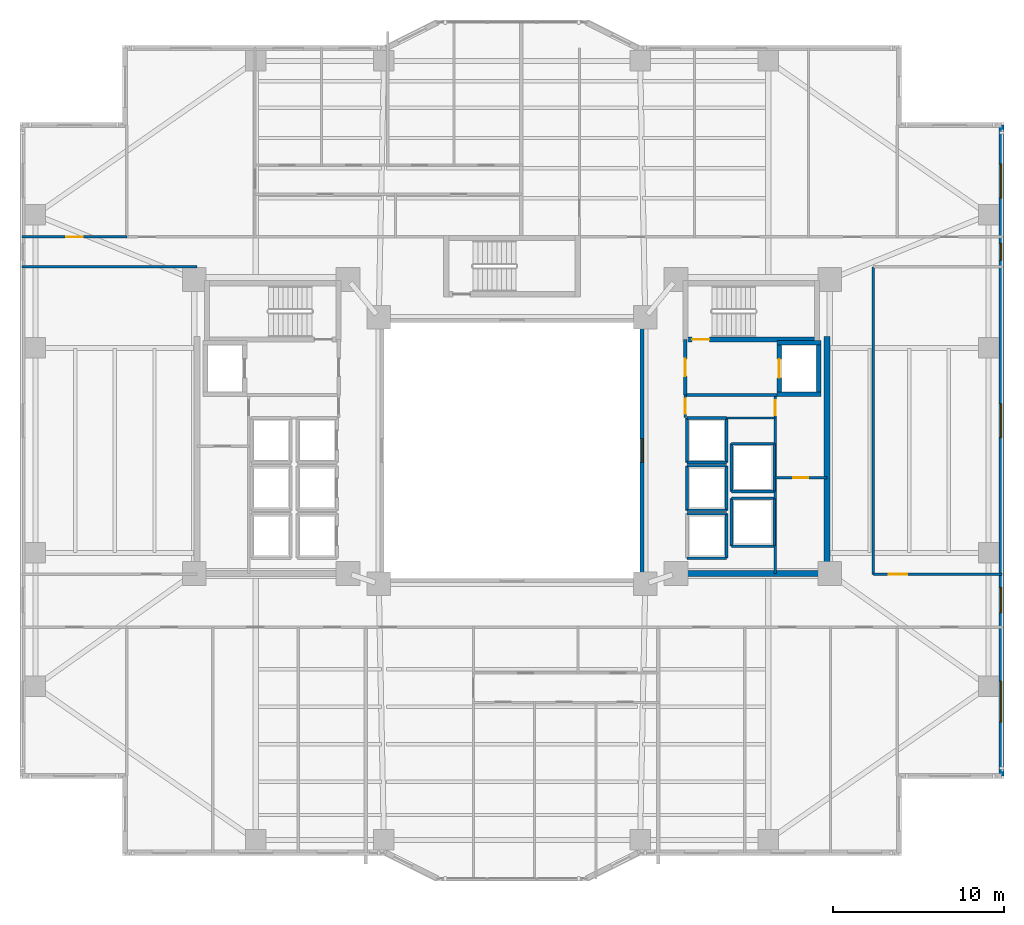
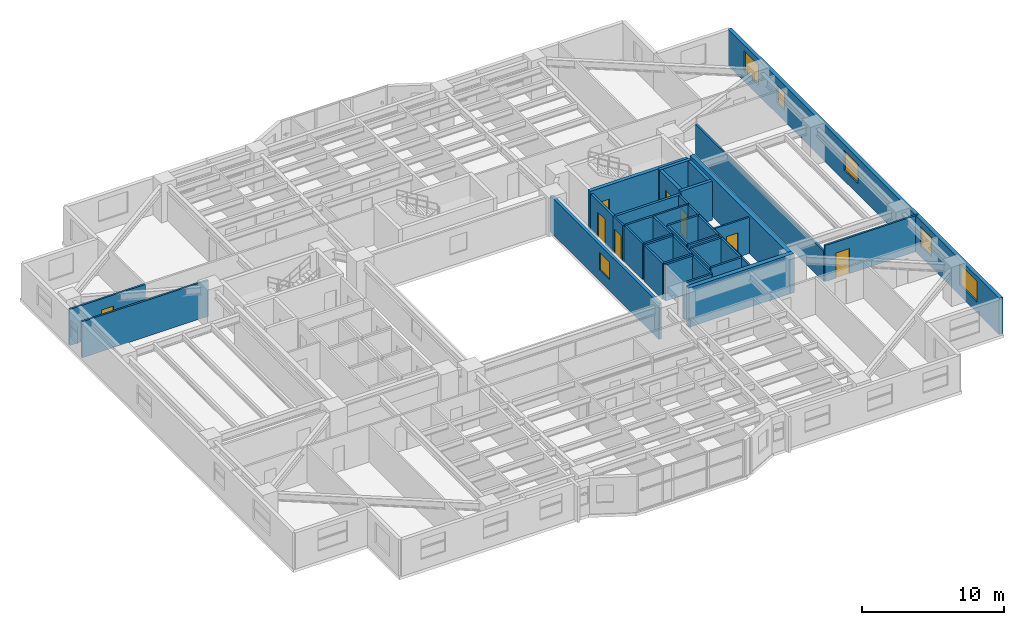
# One storey, part 12 of 19: 38 walls, 8 doors, 6 windows, 14 openings.
"""IFC4 building model written with IfcOpenShell, lengths in metres."""

from ifc_helpers import new_model, si_unit, direction, frame, frame_2d, origin, place, context, subcontext, project, spatial, rectangle, extrude, material, layer, layer_set, type_object, element, fill, save


model = new_model("IFC4")

# Units and contexts
model_context = context("Model", 3, precision=1e-05, world=origin(), true_north=direction((0.0, 1.0)))
body_context = subcontext(model_context, "Body", "Model", "MODEL_VIEW")
ifc_project = project(units=[si_unit("LENGTHUNIT", "METRE"), si_unit("AREAUNIT", "SQUARE_METRE"), si_unit("VOLUMEUNIT", "CUBIC_METRE"), si_unit("PLANEANGLEUNIT", "RADIAN"), si_unit("MASSUNIT", "GRAM", prefix="KILO")], contexts=[model_context])

# Site, building, storey
site_placement = place(None, origin())
site = spatial("IfcSite", under=ifc_project, at=site_placement, CompositionType="ELEMENT")
building_placement = place(site_placement, origin())
building = spatial("IfcBuilding", under=site, at=building_placement, Name="Tarnavaz Court Tower", CompositionType="ELEMENT")
storey_placement = place(building_placement, frame((0.0, 0.0, 50.800048828125)))
storey = spatial("IfcBuildingStorey", under=building, at=storey_placement, Name="L13", CompositionType="ELEMENT", Elevation=50.800048828125)

# Wall, opening, door
ifc_material_1 = material(Name="Concrete C60/75", Category="concrete")
ifc_layer_1 = layer(ifc_material_1, 0.25)
ifc_layer_set_1 = layer_set([ifc_layer_1], Name="Concrete C60/75")
wall_type_1 = type_object("IfcWallType", Name="WL-CORE-250-C60", PredefinedType="SHEAR", material=ifc_layer_set_1)
wall_1_placement = place(storey_placement, frame((15.64990234375, 3.175048828125, 0.0), z_axis=(0.0, 0.0, 1.0), x_axis=(0.0, 1.0, 0.0)))
wall_1 = element("IfcWall", 1, at=wall_1_placement, inside=storey, type_object=wall_type_1, Name="L13 Lift FL-E1 Shaft Wall 045", PredefinedType="SHEAR", context=body_context, shape_type="SweptSolid", body=[
    extrude(rectangle(XDim=3.25, YDim=0.25, at=frame_2d((1.625, 0.0))), origin(), (0.0, 0.0, 1.0), 3.349853515625),
])
opening_1_placement = place(wall_1_placement, frame((1.074951171875, 0.0, 0.0)))
opening_1 = element("IfcOpeningElement", 2, at=opening_1_placement, cuts=wall_1, Name="Opening LD1", PredefinedType="OPENING", context=body_context, shape_type="SweptSolid", body=[
    extrude(rectangle(XDim=1.10009765625, YDim=2.14990234375, at=frame_2d((0.550048828125, 1.074951171875))), frame((0.0, 0.135009765625, 0.0), z_axis=(0.0, -1.0, 0.0), x_axis=(1.0, 0.0, 0.0)), (0.0, 0.0, 1.0), 0.27001953125),
])
ifc_material_2 = material(Name="Stainless Steel", Category="steel")
door_type_1 = type_object("IfcDoorType", Name="DR-LD-1100", OperationType="NOTDEFINED", PredefinedType="DOOR", material=ifc_material_2)
door_1_placement = place(opening_1_placement, origin())
door_1 = element("IfcDoor", 3, at=door_1_placement, inside=storey, type_object=door_type_1, Name="L13 Lift Landing Door LD-FL-E1", OperationType="SLIDING_TO_LEFT", OverallHeight=2.14990234375, OverallWidth=1.10009765625, PredefinedType="DOOR", context=body_context, shape_type="SweptSolid", body=[
    extrude(rectangle(XDim=1.10009765625, YDim=2.14990234375, at=frame_2d((0.550048828125, 1.074951171875))), frame((0.0, 0.02490234375, 0.0), z_axis=(0.0, -1.0, 0.0), x_axis=(1.0, 0.0, 0.0)), (0.0, 0.0, 1.0), 0.050048828125),
])
fill(opening_1, door_1)

# Walls
wall_2_placement = place(storey_placement, frame((17.949951171875, 3.175048828125, 0.0), z_axis=(0.0, 0.0, 1.0), x_axis=(0.0, 1.0, 0.0)))
element("IfcWall", 4, at=wall_2_placement, inside=storey, type_object=wall_type_1, Name="L13 Lift FL-E1 Shaft Wall 046", PredefinedType="SHEAR", context=body_context, shape_type="SweptSolid", body=[
    extrude(rectangle(XDim=3.25, YDim=0.25, at=frame_2d((1.625, 0.0))), origin(), (0.0, 0.0, 1.0), 3.349853515625),
])
for number, where, z_axis, x_axis, name in (
    (5, (15.52490234375, 3.300048828125, 0.0), (0.0, 0.0, 1.0), (1.0, 0.0, 0.0), "L13 Lift FL-E1 Shaft Wall 047"),
    (6, (15.52490234375, 6.300048828125, 0.0), (0.0, 0.0, 1.0), (1.0, 0.0, 0.0), "L13 Lift FL-E1 Shaft Wall 048"),
):
    element("IfcWall", number, at=place(storey_placement, frame(where, z_axis=z_axis, x_axis=x_axis)), inside=storey, type_object=wall_type_1, Name=name, PredefinedType="SHEAR", context=body_context, shape_type="SweptSolid", body=[
        extrude(rectangle(XDim=2.550048828125, YDim=0.25, at=frame_2d((1.27490234375, 0.0))), origin(), (0.0, 0.0, 1.0), 3.349853515625),
    ])

# Wall, opening, door
ifc_layer_2 = layer(ifc_material_1, 0.300048828125)
ifc_layer_set_2 = layer_set([ifc_layer_2], Name="Concrete C60/75")
wall_type_2 = type_object("IfcWallType", Name="WL-CORE-300-C60", PredefinedType="SHEAR", material=ifc_layer_set_2)
wall_3_placement = place(storey_placement, frame((10.0, 6.5, 0.0), z_axis=(0.0, 0.0, 1.0), x_axis=(1.0, 0.0, 0.0)))
wall_3 = element("IfcWall", 7, at=wall_3_placement, inside=storey, type_object=wall_type_2, Name="L13 East Stair Core Wall 006", PredefinedType="SHEAR", context=body_context, shape_type="SweptSolid", body=[
    extrude(rectangle(XDim=8.0, YDim=0.300048828125, at=frame_2d((4.0, 0.0))), origin(), (0.0, 0.0, 1.0), 3.349853515625),
])
opening_2_placement = place(wall_3_placement, frame((0.550048828125, 0.0, 0.0)))
opening_2 = element("IfcOpeningElement", 8, at=opening_2_placement, cuts=wall_3, Name="Opening D01", PredefinedType="OPENING", context=body_context, shape_type="SweptSolid", body=[
    extrude(rectangle(XDim=1.0, YDim=2.14990234375, at=frame_2d((0.5, 1.074951171875))), frame((0.0, 0.159912109375, 0.0), z_axis=(0.0, -1.0, 0.0), x_axis=(1.0, 0.0, 0.0)), (0.0, 0.0, 1.0), 0.320068359375),
])
ifc_material_3 = material(Name="Fire-Rated Hardwood Timber Core", Category="wood")
door_type_2 = type_object("IfcDoorType", Name="DR-FD90-1000", OperationType="NOTDEFINED", PredefinedType="DOOR", material=ifc_material_3)
door_2_placement = place(opening_2_placement, origin())
door_2 = element("IfcDoor", 9, at=door_2_placement, inside=storey, type_object=door_type_2, Name="L13 Stair ST-E1 Exit Door", OperationType="SINGLE_SWING_RIGHT", OverallHeight=2.14990234375, OverallWidth=1.0, PredefinedType="DOOR", context=body_context, shape_type="SweptSolid", body=[
    extrude(rectangle(XDim=1.0, YDim=2.14990234375, at=frame_2d((0.5, 1.074951171875))), frame((0.0, 0.02490234375, 0.0), z_axis=(0.0, -1.0, 0.0), x_axis=(1.0, 0.0, 0.0)), (0.0, 0.0, 1.0), 0.050048828125),
])
fill(opening_2, door_2)

# Walls
ifc_layer_3 = layer(ifc_material_1, 0.35009765625)
ifc_layer_set_3 = layer_set([ifc_layer_3], Name="Concrete C60/75")
wall_type_3 = type_object("IfcWallType", Name="WL-CORE-350-C60", PredefinedType="SHEAR", material=ifc_layer_set_3)
wall_4_placement = place(storey_placement, frame((18.449951171875, -7.375, 0.0), z_axis=(0.0, 0.0, 1.0), x_axis=(0.0, 1.0, 0.0)))
element("IfcWall", 10, at=wall_4_placement, inside=storey, type_object=wall_type_3, Name="L13 East Core Shear Wall 071", PredefinedType="SHEAR", context=body_context, shape_type="SweptSolid", body=[
    extrude(rectangle(XDim=14.050048828125, YDim=0.35009765625, at=frame_2d((7.02490234375, 0.0))), origin(), (0.0, 0.0, 1.0), 3.349853515625),
])
wall_5_placement = place(storey_placement, frame((10.074951171875, -7.199951171875, 0.0), z_axis=(0.0, 0.0, 1.0), x_axis=(1.0, 0.0, 0.0)))
element("IfcWall", 11, at=wall_5_placement, inside=storey, type_object=wall_type_3, Name="L13 East Core South Shear Wall 072", PredefinedType="SHEAR", context=body_context, shape_type="SweptSolid", body=[
    extrude(rectangle(XDim=8.550048828125, YDim=0.35009765625, at=frame_2d((4.27490234375, 0.0))), origin(), (0.0, 0.0, 1.0), 3.349853515625),
])

# Wall, openings, windows
ifc_material_4 = material(Name="Precast Concrete C40/50", Category="concrete")
ifc_layer_4 = layer(ifc_material_4, 0.300048828125)
ifc_layer_set_4 = layer_set([ifc_layer_4], Name="Precast Concrete C40/50")
wall_type_4 = type_object("IfcWallType", Name="WL-EXT-300", PredefinedType="SOLIDWALL", material=ifc_layer_set_4)
wall_6_placement = place(storey_placement, frame((28.64990234375, 19.050048828125, 0.0), z_axis=(0.0, 0.0, 1.0), x_axis=(0.0, -1.0, 0.0)))
wall_6 = element("IfcWall", 12, at=wall_6_placement, inside=storey, type_object=wall_type_4, Name="L13 Exterior Terracotta Facade Wall 12", PredefinedType="SOLIDWALL", context=body_context, shape_type="SweptSolid", body=[
    extrude(rectangle(XDim=38.10009765625, YDim=0.300048828125, at=frame_2d((19.050048828125, 0.0))), origin(), (0.0, 0.0, 1.0), 3.099853515625),
])
opening_3_placement = place(wall_6_placement, frame((2.27490234375, 0.0, 0.89990234375)))
opening_3 = element("IfcOpeningElement", 13, at=opening_3_placement, cuts=wall_6, Name="Opening W08", PredefinedType="OPENING", context=body_context, shape_type="SweptSolid", body=[
    extrude(rectangle(XDim=2.0, YDim=1.699951171875, at=frame_2d((1.0, 0.85009765625))), frame((0.0, 0.159912109375, 0.0), z_axis=(0.0, -1.0, 0.0), x_axis=(1.0, 0.0, 0.0)), (0.0, 0.0, 1.0), 0.320068359375),
])
opening_4_placement = place(wall_6_placement, frame((6.925048828125, 0.0, 0.949951171875)))
opening_4 = element("IfcOpeningElement", 14, at=opening_4_placement, cuts=wall_6, Name="Opening W14", PredefinedType="OPENING", context=body_context, shape_type="SweptSolid", body=[
    extrude(rectangle(XDim=1.0, YDim=1.5, at=frame_2d((0.5, 0.75))), frame((0.0, 0.159912109375, 0.0), z_axis=(0.0, -1.0, 0.0), x_axis=(1.0, 0.0, 0.0)), (0.0, 0.0, 1.0), 0.320068359375),
])
opening_5_placement = place(wall_6_placement, frame((16.300048828125, 0.0, 0.89990234375)))
opening_5 = element("IfcOpeningElement", 15, at=opening_5_placement, cuts=wall_6, Name="Opening W08", PredefinedType="OPENING", context=body_context, shape_type="SweptSolid", body=[
    extrude(rectangle(XDim=2.0, YDim=1.699951171875, at=frame_2d((1.0, 0.85009765625))), frame((0.0, 0.159912109375, 0.0), z_axis=(0.0, -1.0, 0.0), x_axis=(1.0, 0.0, 0.0)), (0.0, 0.0, 1.0), 0.320068359375),
])
opening_6_placement = place(wall_6_placement, frame((27.0576171875, 0.0, 0.89990234375)))
opening_6 = element("IfcOpeningElement", 16, at=opening_6_placement, cuts=wall_6, Name="Opening W03", PredefinedType="OPENING", context=body_context, shape_type="SweptSolid", body=[
    extrude(rectangle(XDim=1.5, YDim=1.64990234375, at=frame_2d((0.75, 0.824951171875))), frame((0.0, 0.159912109375, 0.0), z_axis=(0.0, -1.0, 0.0), x_axis=(1.0, 0.0, 0.0)), (0.0, 0.0, 1.0), 0.320068359375),
])
opening_7_placement = place(wall_6_placement, frame((32.550048828125, 0.0, 0.89990234375)))
opening_7 = element("IfcOpeningElement", 17, at=opening_7_placement, cuts=wall_6, Name="Opening W06", PredefinedType="OPENING", context=body_context, shape_type="SweptSolid", body=[
    extrude(rectangle(XDim=2.39990234375, YDim=1.800048828125, at=frame_2d((1.199951171875, 0.89990234375))), frame((0.0, 0.159912109375, 0.0), z_axis=(0.0, -1.0, 0.0), x_axis=(1.0, 0.0, 0.0)), (0.0, 0.0, 1.0), 0.320068359375),
])
ifc_material_5 = material(Name="Double-Glazed Solar Low-E Glass", Category="glass")
window_type_1 = type_object("IfcWindowType", Name="WN-APT-1000", PartitioningType="SINGLE_PANEL", PredefinedType="WINDOW", material=ifc_material_5)
window_1_placement = place(opening_4_placement, origin())
window_1 = element("IfcWindow", 18, at=window_1_placement, inside=storey, type_object=window_type_1, Name="L13 North-East Corner Corridor Window", OverallHeight=1.5, OverallWidth=1.0, PartitioningType="SINGLE_PANEL", PredefinedType="WINDOW", context=body_context, shape_type="SweptSolid", body=[
    extrude(rectangle(XDim=1.0, YDim=1.5, at=frame_2d((0.5, 0.75))), frame((0.0, 0.030029296875, 0.0), z_axis=(0.0, -1.0, 0.0), x_axis=(1.0, 0.0, 0.0)), (0.0, 0.0, 1.0), 0.06005859375),
])
fill(opening_4, window_1)
window_type_2 = type_object("IfcWindowType", Name="WN-APT-1500", PartitioningType="DOUBLE_PANEL_VERTICAL", PredefinedType="WINDOW", material=ifc_material_5)
window_2_placement = place(opening_6_placement, origin())
window_2 = element("IfcWindow", 19, at=window_2_placement, inside=storey, type_object=window_type_2, Name="L13 South-East Corner Corridor Window", OverallHeight=1.64990234375, OverallWidth=1.5, PartitioningType="SINGLE_PANEL", PredefinedType="WINDOW", context=body_context, shape_type="SweptSolid", body=[
    extrude(rectangle(XDim=1.5, YDim=1.64990234375, at=frame_2d((0.75, 0.824951171875))), frame((0.0, 0.030029296875, 0.0), z_axis=(0.0, -1.0, 0.0), x_axis=(1.0, 0.0, 0.0)), (0.0, 0.0, 1.0), 0.06005859375),
])
fill(opening_6, window_2)
window_type_3 = type_object("IfcWindowType", Name="WN-APT-2000", PartitioningType="DOUBLE_PANEL_VERTICAL", PredefinedType="WINDOW", material=ifc_material_5)
window_3_placement = place(opening_3_placement, origin())
window_3 = element("IfcWindow", 20, at=window_3_placement, inside=storey, type_object=window_type_3, Name="L13 North-East Corner Sunroom Study Window", OverallHeight=1.699951171875, OverallWidth=2.0, PartitioningType="SINGLE_PANEL", PredefinedType="WINDOW", context=body_context, shape_type="SweptSolid", body=[
    extrude(rectangle(XDim=2.0, YDim=1.699951171875, at=frame_2d((1.0, 0.85009765625))), frame((0.0, 0.030029296875, 0.0), z_axis=(0.0, -1.0, 0.0), x_axis=(1.0, 0.0, 0.0)), (0.0, 0.0, 1.0), 0.06005859375),
])
fill(opening_3, window_3)
window_4_placement = place(opening_5_placement, origin())
window_4 = element("IfcWindow", 21, at=window_4_placement, inside=storey, type_object=window_type_3, Name="L13 East Wing Resident Fitness Lounge Window", OverallHeight=1.699951171875, OverallWidth=2.0, PartitioningType="SINGLE_PANEL", PredefinedType="WINDOW", context=body_context, shape_type="SweptSolid", body=[
    extrude(rectangle(XDim=2.0, YDim=1.699951171875, at=frame_2d((1.0, 0.85009765625))), frame((0.0, 0.030029296875, 0.0), z_axis=(0.0, -1.0, 0.0), x_axis=(1.0, 0.0, 0.0)), (0.0, 0.0, 1.0), 0.06005859375),
])
fill(opening_5, window_4)
window_type_4 = type_object("IfcWindowType", Name="WN-APT-2400", PartitioningType="TRIPLE_PANEL_VERTICAL", PredefinedType="WINDOW", material=ifc_material_5)
window_5_placement = place(opening_7_placement, origin())
window_5 = element("IfcWindow", 22, at=window_5_placement, inside=storey, type_object=window_type_4, Name="L13 South-East Corner Reading Room Window", OverallHeight=1.800048828125, OverallWidth=2.39990234375, PartitioningType="SINGLE_PANEL", PredefinedType="WINDOW", context=body_context, shape_type="SweptSolid", body=[
    extrude(rectangle(XDim=2.39990234375, YDim=1.800048828125, at=frame_2d((1.199951171875, 0.89990234375))), frame((0.0, 0.030029296875, 0.0), z_axis=(0.0, -1.0, 0.0), x_axis=(1.0, 0.0, 0.0)), (0.0, 0.0, 1.0), 0.06005859375),
])
fill(opening_7, window_5)

# Walls
ifc_material_6 = material(Name="Gypsum Fire-Board on Acoustic Metal Stud", Category="masonry")
ifc_layer_5 = layer(ifc_material_6, 0.14990234375)
ifc_layer_set_5 = layer_set([ifc_layer_5], Name="Gypsum Fire-Board on Acoustic Metal Stud")
wall_type_5 = type_object("IfcWallType", Name="WL-FIRE-150", PredefinedType="PARTITIONING", material=ifc_layer_set_5)
wall_7_placement = place(storey_placement, frame((21.14990234375, -7.25, 0.0), z_axis=(0.0, 0.0, 1.0), x_axis=(0.0, 1.0, 0.0)))
element("IfcWall", 23, at=wall_7_placement, inside=storey, type_object=wall_type_5, Name="L13 East Outer Link Wall 083", PredefinedType="PARTITIONING", context=body_context, shape_type="SweptSolid", body=[
    extrude(rectangle(XDim=18.0, YDim=0.14990234375, at=frame_2d((9.0, 0.0))), origin(), (0.0, 0.0, 1.0), 2.5849609375),
])
wall_8_placement = place(storey_placement, frame((-28.679931640625, 10.75, 0.0), z_axis=(0.0, 0.0, 1.0), x_axis=(1.0, 0.0, 0.0)))
element("IfcWall", 24, at=wall_8_placement, inside=storey, type_object=wall_type_5, Name="L13 Interior Partition 113", PredefinedType="PARTITIONING", context=body_context, shape_type="SweptSolid", body=[
    extrude(rectangle(XDim=10.22998046875, YDim=0.14990234375, at=frame_2d((5.114990234375, 0.0))), origin(), (0.0, 0.0, 1.0), 3.099853515625),
])

# Wall, opening, door
wall_9_placement = place(storey_placement, frame((21.14990234375, -7.25, 0.0), z_axis=(0.0, 0.0, 1.0), x_axis=(1.0, 0.0, 0.0)))
wall_9 = element("IfcWall", 25, at=wall_9_placement, inside=storey, type_object=wall_type_5, Name="L13 Interior Partition 114", PredefinedType="PARTITIONING", context=body_context, shape_type="SweptSolid", body=[
    extrude(rectangle(XDim=7.530029296875, YDim=0.14990234375, at=frame_2d((3.76513671875, 0.0))), origin(), (0.0, 0.0, 1.0), 3.099853515625),
])
opening_8_placement = place(wall_9_placement, frame((0.89990234375, 0.0, 0.0)))
opening_8 = element("IfcOpeningElement", 26, at=opening_8_placement, cuts=wall_9, Name="Opening D12", PredefinedType="OPENING", context=body_context, shape_type="SweptSolid", body=[
    extrude(rectangle(XDim=1.080078125, YDim=2.14990234375, at=frame_2d((0.5400390625, 1.074951171875))), frame((0.0, 0.0849609375, 0.0), z_axis=(0.0, -1.0, 0.0), x_axis=(1.0, 0.0, 0.0)), (0.0, 0.0, 1.0), 0.169921875),
])
ifc_material_7 = material(Name="Engineered Oak Timber", Category="wood")
door_type_3 = type_object("IfcDoorType", Name="DR-INT-1100", OperationType="NOTDEFINED", PredefinedType="DOOR", material=ifc_material_7)
door_3_placement = place(opening_8_placement, origin())
door_3 = element("IfcDoor", 27, at=door_3_placement, inside=storey, type_object=door_type_3, Name="L13 East Fitness Lounge Door", OperationType="SINGLE_SWING_LEFT", OverallHeight=2.14990234375, OverallWidth=1.080078125, PredefinedType="DOOR", context=body_context, shape_type="SweptSolid", body=[
    extrude(rectangle(XDim=1.080078125, YDim=2.14990234375, at=frame_2d((0.5400390625, 1.074951171875))), frame((0.0, 0.02490234375, 0.0), z_axis=(0.0, -1.0, 0.0), x_axis=(1.0, 0.0, 0.0)), (0.0, 0.0, 1.0), 0.050048828125),
])
fill(opening_8, door_3)

wall_10_placement = place(storey_placement, frame((-28.679931640625, 12.5, 0.0), z_axis=(0.0, 0.0, 1.0), x_axis=(1.0, 0.0, 0.0)))
wall_10 = element("IfcWall", 28, at=wall_10_placement, inside=storey, type_object=wall_type_5, Name="L13 Interior Partition 120", PredefinedType="PARTITIONING", context=body_context, shape_type="SweptSolid", body=[
    extrude(rectangle(XDim=6.1298828125, YDim=0.14990234375, at=frame_2d((3.06494140625, 0.0))), origin(), (0.0, 0.0, 1.0), 3.099853515625),
])
opening_9_placement = place(wall_10_placement, frame((2.590087890625, 0.0, 0.0)))
opening_9 = element("IfcOpeningElement", 29, at=opening_9_placement, cuts=wall_10, Name="Opening D13", PredefinedType="OPENING", context=body_context, shape_type="SweptSolid", body=[
    extrude(rectangle(XDim=0.949951171875, YDim=2.14990234375, at=frame_2d((0.47509765625, 1.074951171875))), frame((0.0, 0.0849609375, 0.0), z_axis=(0.0, -1.0, 0.0), x_axis=(1.0, 0.0, 0.0)), (0.0, 0.0, 1.0), 0.169921875),
])
door_type_4 = type_object("IfcDoorType", Name="DR-INT-950", OperationType="NOTDEFINED", PredefinedType="DOOR", material=ifc_material_7)
door_4_placement = place(opening_9_placement, origin())
door_4 = element("IfcDoor", 30, at=door_4_placement, inside=storey, type_object=door_type_4, Name="L13 NW Sunroom Door", OperationType="SINGLE_SWING_RIGHT", OverallHeight=2.14990234375, OverallWidth=0.949951171875, PredefinedType="DOOR", context=body_context, shape_type="SweptSolid", body=[
    extrude(rectangle(XDim=0.949951171875, YDim=2.14990234375, at=frame_2d((0.47509765625, 1.074951171875))), frame((0.0, 0.02490234375, 0.0), z_axis=(0.0, -1.0, 0.0), x_axis=(1.0, 0.0, 0.0)), (0.0, 0.0, 1.0), 0.050048828125),
])
fill(opening_9, door_4)

# Wall
ifc_material_8 = material(Name="Autoclaved Aerated Concrete Blockwork", Category="masonry")
ifc_layer_6 = layer(ifc_material_8, 0.199951171875)
ifc_layer_set_6 = layer_set([ifc_layer_6], Name="Autoclaved Aerated Concrete Blockwork")
wall_type_6 = type_object("IfcWallType", Name="WL-FIRE-200", PredefinedType="SOLIDWALL", material=ifc_layer_set_6)
wall_11_placement = place(storey_placement, frame((10.14990234375, 3.25, 0.0), z_axis=(0.0, 0.0, 1.0), x_axis=(1.0, 0.0, 0.0)))
element("IfcWall", 31, at=wall_11_placement, inside=storey, type_object=wall_type_6, Name="L13 East Firefighting Lobby Wall 015", PredefinedType="SOLIDWALL", context=body_context, shape_type="SweptSolid", body=[
    extrude(rectangle(XDim=5.400146484375, YDim=0.199951171875, at=frame_2d((2.7001953125, 0.0))), origin(), (0.0, 0.0, 1.0), 3.099853515625),
])

# Wall, opening, door
wall_12_placement = place(storey_placement, frame((10.14990234375, 3.25, 0.0), z_axis=(0.0, 0.0, 1.0), x_axis=(0.0, 1.0, 0.0)))
wall_12 = element("IfcWall", 32, at=wall_12_placement, inside=storey, type_object=wall_type_6, Name="L13 East Firefighting Lobby Wall 016", PredefinedType="SOLIDWALL", context=body_context, shape_type="SweptSolid", body=[
    extrude(rectangle(XDim=3.25, YDim=0.199951171875, at=frame_2d((1.625, 0.0))), origin(), (0.0, 0.0, 1.0), 3.099853515625),
])
opening_10_placement = place(wall_12_placement, frame((1.10009765625, 0.0, 0.0)))
opening_10 = element("IfcOpeningElement", 33, at=opening_10_placement, cuts=wall_12, Name="Opening D05", PredefinedType="OPENING", context=body_context, shape_type="SweptSolid", body=[
    extrude(rectangle(XDim=1.02001953125, YDim=2.14990234375, at=frame_2d((0.510009765625, 1.074951171875))), frame((0.0, 0.10986328125, 0.0), z_axis=(0.0, -1.0, 0.0), x_axis=(1.0, 0.0, 0.0)), (0.0, 0.0, 1.0), 0.219970703125),
])
door_type_5 = type_object("IfcDoorType", Name="DR-FD60-1000", OperationType="NOTDEFINED", PredefinedType="DOOR", material=ifc_material_3)
door_5_placement = place(opening_10_placement, origin())
door_5 = element("IfcDoor", 34, at=door_5_placement, inside=storey, type_object=door_type_5, Name="L13 East Firefighting Lobby Door", OperationType="SINGLE_SWING_LEFT", OverallHeight=2.14990234375, OverallWidth=1.02001953125, PredefinedType="DOOR", context=body_context, shape_type="SweptSolid", body=[
    extrude(rectangle(XDim=1.02001953125, YDim=2.14990234375, at=frame_2d((0.510009765625, 1.074951171875))), frame((0.0, 0.02490234375, 0.0), z_axis=(0.0, -1.0, 0.0), x_axis=(1.0, 0.0, 0.0)), (0.0, 0.0, 1.0), 0.050048828125),
])
fill(opening_10, door_5)

# Wall
ifc_material_9 = material(Name="Gypsum Plasterboard Acoustic Partition", Category="masonry")
ifc_layer_7 = layer(ifc_material_9, 0.139892578125)
ifc_layer_set_7 = layer_set([ifc_layer_7], Name="Gypsum Plasterboard Acoustic Partition")
wall_type_7 = type_object("IfcWallType", Name="WL-PART-150", PredefinedType="PARTITIONING", material=ifc_layer_set_7)
wall_13_placement = place(storey_placement, frame((12.550048828125, 1.89990234375, 0.0), z_axis=(0.0, 0.0, 1.0), x_axis=(1.0, 0.0, 0.0)))
element("IfcWall", 35, at=wall_13_placement, inside=storey, type_object=wall_type_7, Name="L13 Interior Partition 077", PredefinedType="PARTITIONING", context=body_context, shape_type="SweptSolid", body=[
    extrude(rectangle(XDim=2.849853515625, YDim=0.139892578125, at=frame_2d((1.4248046875, 0.0))), origin(), (0.0, 0.0, 1.0), 3.099853515625),
])

# Wall, opening, door
wall_14_placement = place(storey_placement, frame((10.14990234375, 1.919921875, 0.0), z_axis=(0.0, 0.0, 1.0), x_axis=(0.0, 1.0, 0.0)))
wall_14 = element("IfcWall", 36, at=wall_14_placement, inside=storey, type_object=wall_type_7, Name="L13 Interior Partition 078", PredefinedType="PARTITIONING", context=body_context, shape_type="SweptSolid", body=[
    extrude(rectangle(XDim=1.330078125, YDim=0.139892578125, at=frame_2d((0.6650390625, 0.0))), origin(), (0.0, 0.0, 1.0), 3.099853515625),
])
opening_11_placement = place(wall_14_placement, frame((0.219970703125, 0.0, 0.0)))
opening_11 = element("IfcOpeningElement", 37, at=opening_11_placement, cuts=wall_14, Name="Opening D09", PredefinedType="OPENING", context=body_context, shape_type="SweptSolid", body=[
    extrude(rectangle(XDim=0.89990234375, YDim=2.080078125, at=frame_2d((0.449951171875, 1.0400390625))), frame((0.0, 0.079833984375, 0.0), z_axis=(0.0, -1.0, 0.0), x_axis=(1.0, 0.0, 0.0)), (0.0, 0.0, 1.0), 0.159912109375),
])
door_type_6 = type_object("IfcDoorType", Name="DR-FD30-900", OperationType="NOTDEFINED", PredefinedType="DOOR", material=ifc_material_3)
door_6_placement = place(opening_11_placement, origin())
door_6 = element("IfcDoor", 38, at=door_6_placement, inside=storey, type_object=door_type_6, Name="L13 East Core Service Lobby Door", OperationType="SINGLE_SWING_RIGHT", OverallHeight=2.080078125, OverallWidth=0.89990234375, PredefinedType="DOOR", context=body_context, shape_type="SweptSolid", body=[
    extrude(rectangle(XDim=0.89990234375, YDim=2.080078125, at=frame_2d((0.449951171875, 1.0400390625))), frame((0.0, 0.02490234375, 0.0), z_axis=(0.0, -1.0, 0.0), x_axis=(1.0, 0.0, 0.0)), (0.0, 0.0, 1.0), 0.050048828125),
])
fill(opening_11, door_6)

wall_15_placement = place(storey_placement, frame((15.39990234375, -7.199951171875, 0.0), z_axis=(0.0, 0.0, 1.0), x_axis=(0.0, 1.0, 0.0)))
wall_15 = element("IfcWall", 39, at=wall_15_placement, inside=storey, type_object=wall_type_7, Name="L13 Interior Partition 079", PredefinedType="PARTITIONING", context=body_context, shape_type="SweptSolid", body=[
    extrude(rectangle(XDim=10.449951171875, YDim=0.139892578125, at=frame_2d((5.22509765625, 0.0))), origin(), (0.0, 0.0, 1.0), 3.099853515625),
])
opening_12_placement = place(wall_15_placement, frame((9.25, 0.0, 0.0)))
opening_12 = element("IfcOpeningElement", 40, at=opening_12_placement, cuts=wall_15, Name="Opening D09", PredefinedType="OPENING", context=body_context, shape_type="SweptSolid", body=[
    extrude(rectangle(XDim=0.89990234375, YDim=2.080078125, at=frame_2d((0.449951171875, 1.0400390625))), frame((0.0, 0.079833984375, 0.0), z_axis=(0.0, -1.0, 0.0), x_axis=(1.0, 0.0, 0.0)), (0.0, 0.0, 1.0), 0.159912109375),
])
door_7_placement = place(opening_12_placement, origin())
door_7 = element("IfcDoor", 41, at=door_7_placement, inside=storey, type_object=door_type_6, Name="L13 East Wet Riser Door", OperationType="SINGLE_SWING_LEFT", OverallHeight=2.080078125, OverallWidth=0.89990234375, PredefinedType="DOOR", context=body_context, shape_type="SweptSolid", body=[
    extrude(rectangle(XDim=0.89990234375, YDim=2.080078125, at=frame_2d((0.449951171875, 1.0400390625))), frame((0.0, 0.02490234375, 0.0), z_axis=(0.0, -1.0, 0.0), x_axis=(1.0, 0.0, 0.0)), (0.0, 0.0, 1.0), 0.050048828125),
])
fill(opening_12, door_7)

wall_16_placement = place(storey_placement, frame((15.39990234375, -1.590087890625, 0.0), z_axis=(0.0, 0.0, 1.0), x_axis=(1.0, 0.0, 0.0)))
wall_16 = element("IfcWall", 42, at=wall_16_placement, inside=storey, type_object=wall_type_7, Name="L13 Interior Partition 080", PredefinedType="PARTITIONING", context=body_context, shape_type="SweptSolid", body=[
    extrude(rectangle(XDim=3.050048828125, YDim=0.139892578125, at=frame_2d((1.52490234375, 0.0))), origin(), (0.0, 0.0, 1.0), 3.099853515625),
])
opening_13_placement = place(wall_16_placement, frame((1.050048828125, 0.0, 0.0)))
opening_13 = element("IfcOpeningElement", 43, at=opening_13_placement, cuts=wall_16, Name="Opening D09", PredefinedType="OPENING", context=body_context, shape_type="SweptSolid", body=[
    extrude(rectangle(XDim=0.89990234375, YDim=2.080078125, at=frame_2d((0.449951171875, 1.0400390625))), frame((0.0, 0.079833984375, 0.0), z_axis=(0.0, -1.0, 0.0), x_axis=(1.0, 0.0, 0.0)), (0.0, 0.0, 1.0), 0.159912109375),
])
door_8_placement = place(opening_13_placement, origin())
door_8 = element("IfcDoor", 44, at=door_8_placement, inside=storey, type_object=door_type_6, Name="L13 East Electrical Plant Door", OperationType="SINGLE_SWING_RIGHT", OverallHeight=2.080078125, OverallWidth=0.89990234375, PredefinedType="DOOR", context=body_context, shape_type="SweptSolid", body=[
    extrude(rectangle(XDim=0.89990234375, YDim=2.080078125, at=frame_2d((0.449951171875, 1.0400390625))), frame((0.0, 0.02490234375, 0.0), z_axis=(0.0, -1.0, 0.0), x_axis=(1.0, 0.0, 0.0)), (0.0, 0.0, 1.0), 0.050048828125),
])
fill(opening_13, door_8)

# Walls
ifc_layer_8 = layer(ifc_material_8, 0.159912109375)
ifc_layer_set_8 = layer_set([ifc_layer_8], Name="Autoclaved Aerated Concrete Blockwork")
wall_type_8 = type_object("IfcWallType", Name="WL-SHAFT-150", PredefinedType="SOLIDWALL", material=ifc_layer_set_8)
wall_17_placement = place(storey_placement, frame((12.550048828125, -6.300048828125, 0.0), z_axis=(0.0, 0.0, 1.0), x_axis=(0.0, 1.0, 0.0)))
element("IfcWall", 45, at=wall_17_placement, inside=storey, type_object=wall_type_8, Name="L13 Lift PL-M1 Shaft Wall 050", PredefinedType="SOLIDWALL", context=body_context, shape_type="SweptSolid", body=[
    extrude(rectangle(XDim=2.60009765625, YDim=0.159912109375, at=frame_2d((1.300048828125, 0.0))), origin(), (0.0, 0.0, 1.0), 3.099853515625),
])
for number, where, z_axis, x_axis, name in (
    (46, (10.25, -6.300048828125, 0.0), (0.0, 0.0, 1.0), (1.0, 0.0, 0.0), "L13 Lift PL-M1 Shaft Wall 051"),
    (47, (10.25, -3.699951171875, 0.0), (0.0, 0.0, 1.0), (1.0, 0.0, 0.0), "L13 Lift PL-M1 Shaft Wall 052"),
):
    element("IfcWall", number, at=place(storey_placement, frame(where, z_axis=z_axis, x_axis=x_axis)), inside=storey, type_object=wall_type_8, Name=name, PredefinedType="SOLIDWALL", context=body_context, shape_type="SweptSolid", body=[
        extrude(rectangle(XDim=2.300048828125, YDim=0.159912109375, at=frame_2d((1.14990234375, 0.0))), origin(), (0.0, 0.0, 1.0), 3.099853515625),
    ])
for number, where, z_axis, x_axis, name in (
    (48, (10.25, -3.5, 0.0), (0.0, 0.0, 1.0), (0.0, 1.0, 0.0), "L13 Lift PL-M2 Shaft Wall 053"),
    (49, (12.550048828125, -3.5, 0.0), (0.0, 0.0, 1.0), (0.0, 1.0, 0.0), "L13 Lift PL-M2 Shaft Wall 054"),
):
    element("IfcWall", number, at=place(storey_placement, frame(where, z_axis=z_axis, x_axis=x_axis)), inside=storey, type_object=wall_type_8, Name=name, PredefinedType="SOLIDWALL", context=body_context, shape_type="SweptSolid", body=[
        extrude(rectangle(XDim=2.60009765625, YDim=0.159912109375, at=frame_2d((1.300048828125, 0.0))), origin(), (0.0, 0.0, 1.0), 3.099853515625),
    ])
for number, where, z_axis, x_axis, name in (
    (50, (10.25, -3.5, 0.0), (0.0, 0.0, 1.0), (1.0, 0.0, 0.0), "L13 Lift PL-M2 Shaft Wall 055"),
    (51, (10.25, -0.89990234375, 0.0), (0.0, 0.0, 1.0), (1.0, 0.0, 0.0), "L13 Lift PL-M2 Shaft Wall 056"),
):
    element("IfcWall", number, at=place(storey_placement, frame(where, z_axis=z_axis, x_axis=x_axis)), inside=storey, type_object=wall_type_8, Name=name, PredefinedType="SOLIDWALL", context=body_context, shape_type="SweptSolid", body=[
        extrude(rectangle(XDim=2.300048828125, YDim=0.159912109375, at=frame_2d((1.14990234375, 0.0))), origin(), (0.0, 0.0, 1.0), 3.099853515625),
    ])
for number, where, z_axis, x_axis, name in (
    (52, (10.25, -0.699951171875, 0.0), (0.0, 0.0, 1.0), (0.0, 1.0, 0.0), "L13 Lift PL-M3 Shaft Wall 057"),
    (53, (12.550048828125, -0.699951171875, 0.0), (0.0, 0.0, 1.0), (0.0, 1.0, 0.0), "L13 Lift PL-M3 Shaft Wall 058"),
):
    element("IfcWall", number, at=place(storey_placement, frame(where, z_axis=z_axis, x_axis=x_axis)), inside=storey, type_object=wall_type_8, Name=name, PredefinedType="SOLIDWALL", context=body_context, shape_type="SweptSolid", body=[
        extrude(rectangle(XDim=2.599853515625, YDim=0.159912109375, at=frame_2d((1.2998046875, 0.0))), origin(), (0.0, 0.0, 1.0), 3.099853515625),
    ])
for number, where, z_axis, x_axis, name in (
    (54, (10.25, -0.699951171875, 0.0), (0.0, 0.0, 1.0), (1.0, 0.0, 0.0), "L13 Lift PL-M3 Shaft Wall 059"),
    (55, (10.25, 1.89990234375, 0.0), (0.0, 0.0, 1.0), (1.0, 0.0, 0.0), "L13 Lift PL-M3 Shaft Wall 060"),
):
    element("IfcWall", number, at=place(storey_placement, frame(where, z_axis=z_axis, x_axis=x_axis)), inside=storey, type_object=wall_type_8, Name=name, PredefinedType="SOLIDWALL", context=body_context, shape_type="SweptSolid", body=[
        extrude(rectangle(XDim=2.300048828125, YDim=0.159912109375, at=frame_2d((1.14990234375, 0.0))), origin(), (0.0, 0.0, 1.0), 3.099853515625),
    ])
for number, where, z_axis, x_axis, name in (
    (56, (12.85009765625, -5.60009765625, 0.0), (0.0, 0.0, 1.0), (0.0, 1.0, 0.0), "L13 Lift PL-OB1 Shaft Wall 061"),
    (57, (15.35009765625, -5.60009765625, 0.0), (0.0, 0.0, 1.0), (0.0, 1.0, 0.0), "L13 Lift PL-OB1 Shaft Wall 062"),
):
    element("IfcWall", number, at=place(storey_placement, frame(where, z_axis=z_axis, x_axis=x_axis)), inside=storey, type_object=wall_type_8, Name=name, PredefinedType="SOLIDWALL", context=body_context, shape_type="SweptSolid", body=[
        extrude(rectangle(XDim=2.800048828125, YDim=0.159912109375, at=frame_2d((1.39990234375, 0.0))), origin(), (0.0, 0.0, 1.0), 3.099853515625),
    ])
for number, where, z_axis, x_axis, name in (
    (58, (12.85009765625, -5.60009765625, 0.0), (0.0, 0.0, 1.0), (1.0, 0.0, 0.0), "L13 Lift PL-OB1 Shaft Wall 063"),
    (59, (12.85009765625, -2.800048828125, 0.0), (0.0, 0.0, 1.0), (1.0, 0.0, 0.0), "L13 Lift PL-OB1 Shaft Wall 064"),
):
    element("IfcWall", number, at=place(storey_placement, frame(where, z_axis=z_axis, x_axis=x_axis)), inside=storey, type_object=wall_type_8, Name=name, PredefinedType="SOLIDWALL", context=body_context, shape_type="SweptSolid", body=[
        extrude(rectangle(XDim=2.5, YDim=0.159912109375, at=frame_2d((1.25, 0.0))), origin(), (0.0, 0.0, 1.0), 3.099853515625),
    ])
for number, where, z_axis, x_axis, name in (
    (60, (12.85009765625, -2.39990234375, 0.0), (0.0, 0.0, 1.0), (0.0, 1.0, 0.0), "L13 Lift PL-OB2 Shaft Wall 065"),
    (61, (15.35009765625, -2.39990234375, 0.0), (0.0, 0.0, 1.0), (0.0, 1.0, 0.0), "L13 Lift PL-OB2 Shaft Wall 066"),
):
    element("IfcWall", number, at=place(storey_placement, frame(where, z_axis=z_axis, x_axis=x_axis)), inside=storey, type_object=wall_type_8, Name=name, PredefinedType="SOLIDWALL", context=body_context, shape_type="SweptSolid", body=[
        extrude(rectangle(XDim=2.7998046875, YDim=0.159912109375, at=frame_2d((1.39990234375, 0.0))), origin(), (0.0, 0.0, 1.0), 3.099853515625),
    ])
for number, where, z_axis, x_axis, name in (
    (62, (12.85009765625, -2.39990234375, 0.0), (0.0, 0.0, 1.0), (1.0, 0.0, 0.0), "L13 Lift PL-OB2 Shaft Wall 067"),
    (63, (12.85009765625, 0.39990234375, 0.0), (0.0, 0.0, 1.0), (1.0, 0.0, 0.0), "L13 Lift PL-OB2 Shaft Wall 068"),
):
    element("IfcWall", number, at=place(storey_placement, frame(where, z_axis=z_axis, x_axis=x_axis)), inside=storey, type_object=wall_type_8, Name=name, PredefinedType="SOLIDWALL", context=body_context, shape_type="SweptSolid", body=[
        extrude(rectangle(XDim=2.5, YDim=0.159912109375, at=frame_2d((1.25, 0.0))), origin(), (0.0, 0.0, 1.0), 3.099853515625),
    ])

# Wall, opening, window
ifc_layer_9 = layer(ifc_material_4, 0.239990234375)
ifc_layer_set_9 = layer_set([ifc_layer_9], Name="Precast Concrete C40/50")
wall_type_9 = type_object("IfcWallType", Name="WL-WELL-240", PredefinedType="SOLIDWALL", material=ifc_layer_set_9)
wall_18_placement = place(storey_placement, frame((7.6201171875, -7.6201171875, 0.0), z_axis=(0.0, 0.0, 1.0), x_axis=(0.0, 1.0, 0.0)))
wall_18 = element("IfcWall", 64, at=wall_18_placement, inside=storey, type_object=wall_type_9, Name="L13 Badgir Light-Well Exterior Wall E", PredefinedType="SOLIDWALL", context=body_context, shape_type="SweptSolid", body=[
    extrude(rectangle(XDim=15.240234375, YDim=0.239990234375, at=frame_2d((7.6201171875, 0.0))), origin(), (0.0, 0.0, 1.0), 3.099853515625),
])
opening_14_placement = place(wall_18_placement, frame((6.919921875, 0.0, 0.949951171875)))
opening_14 = element("IfcOpeningElement", 65, at=opening_14_placement, cuts=wall_18, Name="Opening W13", PredefinedType="OPENING", context=body_context, shape_type="SweptSolid", body=[
    extrude(rectangle(XDim=1.39990234375, YDim=1.5, at=frame_2d((0.699951171875, 0.75))), frame((0.0, 0.1298828125, 0.0), z_axis=(0.0, -1.0, 0.0), x_axis=(1.0, 0.0, 0.0)), (0.0, 0.0, 1.0), 0.260009765625),
])
window_type_5 = type_object("IfcWindowType", Name="WN-WEL-1400", PartitioningType="SINGLE_PANEL", PredefinedType="WINDOW", material=ifc_material_5)
window_6_placement = place(opening_14_placement, origin())
window_6 = element("IfcWindow", 66, at=window_6_placement, inside=storey, type_object=window_type_5, Name="L13 Courtyard Gallery Window E", OverallHeight=1.5, OverallWidth=1.39990234375, PartitioningType="SINGLE_PANEL", PredefinedType="WINDOW", context=body_context, shape_type="SweptSolid", body=[
    extrude(rectangle(XDim=1.39990234375, YDim=1.5, at=frame_2d((0.699951171875, 0.75))), frame((0.0, 0.030029296875, 0.0), z_axis=(0.0, -1.0, 0.0), x_axis=(1.0, 0.0, 0.0)), (0.0, 0.0, 1.0), 0.06005859375),
])
fill(opening_14, window_6)

save(model, "model.ifc")
